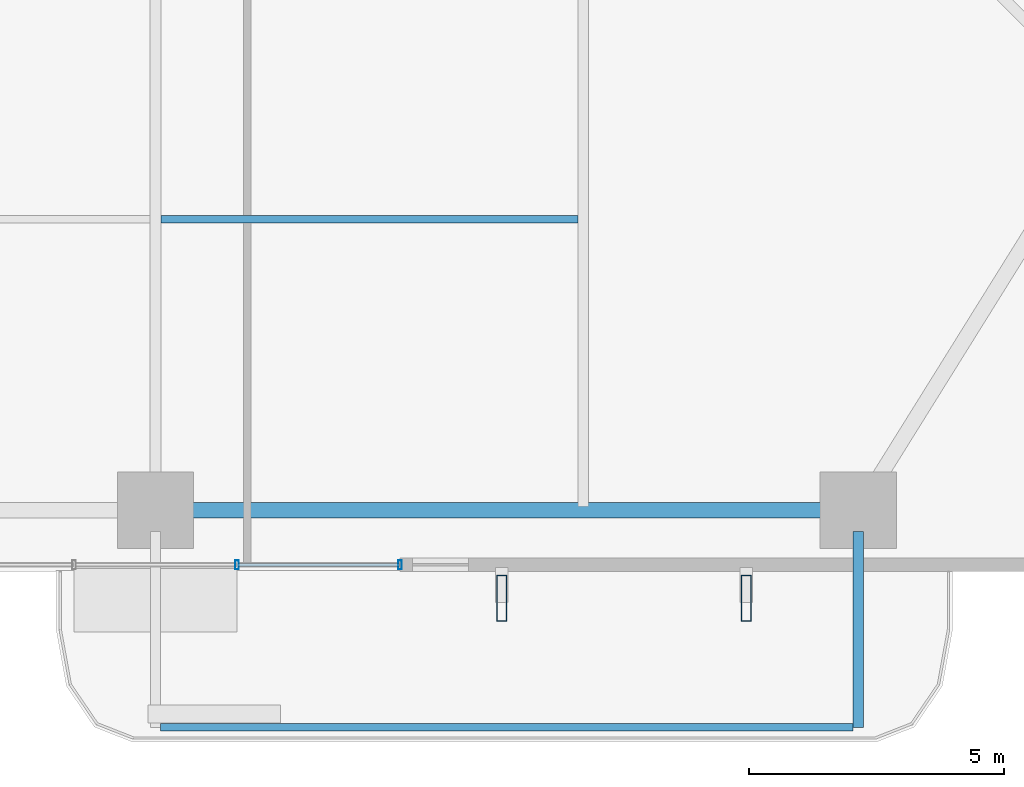
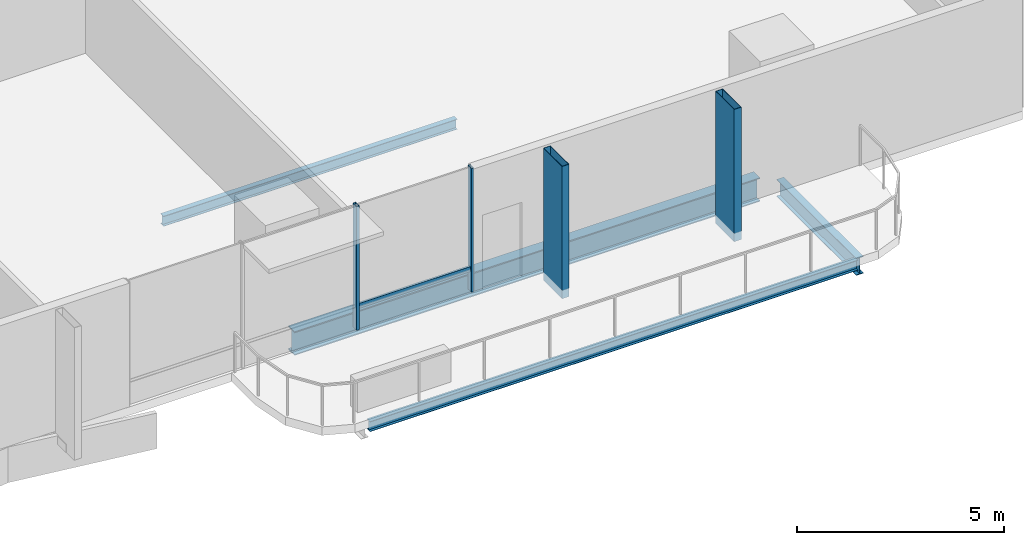
# One storey, part 6 of 24: 5 members, 4 beams, 1 element without a shape of its own.
"""IFC4 building model written with IfcOpenShell, lengths in metres."""

import ifcopenshell
import ifcopenshell.guid

model = None  # the IFC model being written
_history = None  # IfcOwnerHistory: only IFC2X3 demands one
_inside = {}  # id of a spatial element -> (the spatial element, [elements in it])
_under = {}  # id of a project, library or spatial element -> (it, [spatial elements below it])
_declared = {}  # id of a project -> (the project, [libraries it declares])
_typed = {}  # id of a type object -> (the type object, [elements of that type])
_made_of = {}  # id of a material, layer set ... -> (it, [elements and type objects made of it])


def new_model(schema):
    """Start an empty IFC model of exactly this schema.

    Asked for "IFC4X3", IfcOpenShell would pick the latest addendum, in which some entities
    have other attributes; the version numbers below select the first issue.
    IFC2X3 requires an IfcOwnerHistory on every rooted entity: one is made here for all.
    """
    global model, _history
    if schema == "IFC4X3":
        model = ifcopenshell.file(schema_version=(4, 3, 0, 0))
    else:
        model = ifcopenshell.file(schema=schema)
    _inside.clear()
    _under.clear()
    _declared.clear()
    _typed.clear()
    _made_of.clear()
    _history = None
    if model.schema == "IFC2X3":
        org = make("IfcOrganization", Name="unknown")
        user = make(
            "IfcPersonAndOrganization",
            ThePerson=make("IfcPerson", FamilyName="unknown"),
            TheOrganization=org,
        )
        app = make(
            "IfcApplication",
            ApplicationDeveloper=org,
            Version="unknown",
            ApplicationFullName="unknown",
            ApplicationIdentifier="unknown",
        )
        _history = make(
            "IfcOwnerHistory",
            OwningUser=user,
            OwningApplication=app,
            ChangeAction="ADDED",
            CreationDate=0,
        )
    return model


def make(cls, **values):
    """One entity of the class cls with the attributes given. An attribute that is None is left unset."""
    return model.create_entity(
        cls, **{name: value for name, value in values.items() if value is not None}
    )


def rooted(cls, **values):
    """An entity with a GlobalId (a new one), such as an element, a storey or a relation."""
    return make(cls, GlobalId=ifcopenshell.guid.new(), OwnerHistory=_history, **values)


def si_unit(unit_type, name, prefix=None):
    """IfcSIUnit, for example si_unit("LENGTHUNIT", "METRE", prefix="MILLI")."""
    return make("IfcSIUnit", UnitType=unit_type, Prefix=prefix, Name=name)


def assignment(units):
    """IfcUnitAssignment: the units of a project."""
    return None if units is None else make("IfcUnitAssignment", Units=units)


def point(xyz):
    """IfcCartesianPoint."""
    return None if xyz is None else make("IfcCartesianPoint", Coordinates=xyz)


def direction(xyz):
    """IfcDirection."""
    return None if xyz is None else make("IfcDirection", DirectionRatios=xyz)


def frame(location, z_axis=None, x_axis=None):
    """IfcAxis2Placement3D, a coordinate frame: its origin and axes. An axis left out is left unset."""
    return make(
        "IfcAxis2Placement3D",
        Location=point(location),
        Axis=direction(z_axis),
        RefDirection=direction(x_axis),
    )


def frame_2d(location, x_axis=None):
    """IfcAxis2Placement2D, a coordinate frame in the plane: its origin and x axis."""
    return make(
        "IfcAxis2Placement2D", Location=point(location), RefDirection=direction(x_axis)
    )


def origin():
    """The frame at (0, 0, 0) with its axes left unset."""
    return frame((0.0, 0.0, 0.0))


def origin_2d():
    """The frame at (0, 0) in the plane with its x axis left unset."""
    return frame_2d((0.0, 0.0))


def place(relative_to, where):
    """IfcLocalPlacement: puts the frame where relative to a parent placement (None: the world)."""
    return make(
        "IfcLocalPlacement", PlacementRelTo=relative_to, RelativePlacement=where
    )


def context(
    kind, dimensions, precision=None, world=None, true_north=None, identifier=None
):
    """IfcGeometricRepresentationContext, for example the 3D "Model" context."""
    return make(
        "IfcGeometricRepresentationContext",
        ContextIdentifier=identifier,
        ContextType=kind,
        CoordinateSpaceDimension=dimensions,
        Precision=precision,
        WorldCoordinateSystem=world,
        TrueNorth=true_north,
    )


def subcontext(parent, identifier, kind, view, scale=None):
    """IfcGeometricRepresentationSubContext, for example "Body" below "Model"."""
    return make(
        "IfcGeometricRepresentationSubContext",
        ContextIdentifier=identifier,
        ContextType=kind,
        ParentContext=parent,
        TargetScale=scale,
        TargetView=view,
    )


def project(units=None, contexts=None):
    """IfcProject with its units and contexts."""
    return rooted(
        "IfcProject",
        Name="project",
        RepresentationContexts=contexts,
        UnitsInContext=assignment(units),
    )


def spatial(cls, under=None, at=None, **own):
    """A site, building, storey or space (cls), placed at a placement, below another one or the project."""
    s = rooted(cls, ObjectPlacement=at, **own)
    if under is not None:
        _under.setdefault(under.id(), (under, []))[1].append(s)
    return s


def profile(cls, at=None, kind="AREA", **sizes):
    """A parametric profile (cls). Its sizes go by their IFC names, for example OverallWidth=200.0."""
    return make(cls, ProfileType=kind, Position=at, **sizes)


def hollow_rectangle(**sizes):
    """IfcRectangleHollowProfileDef."""
    return profile("IfcRectangleHollowProfileDef", **sizes)


def i_section(**sizes):
    """IfcIShapeProfileDef."""
    return profile("IfcIShapeProfileDef", **sizes)


def extrude(swept, where, along, depth):
    """IfcExtrudedAreaSolid: the profile swept, set in the frame where, extruded along a direction by depth."""
    return make(
        "IfcExtrudedAreaSolid",
        SweptArea=swept,
        Position=where,
        ExtrudedDirection=direction(along),
        Depth=depth,
    )


def shape(context_of_items, identifier, shape_type, items):
    """IfcShapeRepresentation: the items that make up one representation, for example the "Body"."""
    return make(
        "IfcShapeRepresentation",
        ContextOfItems=context_of_items,
        RepresentationIdentifier=identifier,
        RepresentationType=shape_type,
        Items=items,
    )


def material(Name=None, Category=None):
    """IfcMaterial."""
    return make("IfcMaterial", Name=Name, Category=Category)


def layer(
    of_material, thickness, ventilated=None, Name=None, Category=None, Priority=None
):
    """IfcMaterialLayer: one layer of a wall or slab, of a material (None: an air gap)."""
    return make(
        "IfcMaterialLayer",
        Material=of_material,
        LayerThickness=thickness,
        IsVentilated=ventilated,
        Name=Name,
        Category=Category,
        Priority=Priority,
    )


def layer_set(layers, Name=None):
    """IfcMaterialLayerSet."""
    return make("IfcMaterialLayerSet", MaterialLayers=layers, LayerSetName=Name)


def material_profile(
    of_material, cross_section, Name=None, Category=None, Priority=None
):
    """IfcMaterialProfile: a cross section and its material."""
    return make(
        "IfcMaterialProfile",
        Name=Name,
        Material=of_material,
        Profile=cross_section,
        Priority=Priority,
        Category=Category,
    )


def profile_set(profiles, Name=None, composite=None):
    """IfcMaterialProfileSet."""
    return make(
        "IfcMaterialProfileSet",
        Name=Name,
        MaterialProfiles=profiles,
        CompositeProfile=composite,
    )


def made_of(thing, what):
    """Note that an element or type object is made of a material, layer set ...; save() writes the relation."""
    if what is not None:
        _made_of.setdefault(what.id(), (what, []))[1].append(thing)
    return thing


def type_object(cls, material=None, **own):
    """A type object (cls), such as IfcWallType, which elements share."""
    return made_of(rooted(cls, **own), material)


def element(
    cls,
    number,
    at=None,
    inside=None,
    cuts=None,
    type_object=None,
    material=None,
    context=None,
    identifier="Body",
    shape_type=None,
    held_by="IfcProductDefinitionShape",
    body=None,
    shapes=None,
    **own,
):
    """One element of the class cls, such as IfcWall. Its Tag is "e" and its number.

    at: its placement. inside: the storey or other place that contains it. cuts: it is an
    opening in that element (IfcRelVoidsElement). A single representation is given by context,
    identifier, shape_type and body (its items); several are given by shapes. held_by: the class
    of the entity that holds the representations. save() writes the other relations.
    """
    e = rooted(cls, Tag="e%d" % number, ObjectPlacement=at, **own)
    if body is not None:
        shapes = [shape(context, identifier, shape_type, body)]
    if shapes is not None:
        e.Representation = make(held_by, Representations=shapes)
    if inside is not None:
        _inside.setdefault(inside.id(), (inside, []))[1].append(e)
    if cuts is not None:
        rooted(
            "IfcRelVoidsElement", RelatingBuildingElement=cuts, RelatedOpeningElement=e
        )
    if type_object is not None:
        _typed.setdefault(type_object.id(), (type_object, []))[1].append(e)
    return made_of(e, material)


def aggregate(whole, parts):
    """IfcRelAggregates: a whole, such as a stair, and the parts it consists of."""
    return rooted("IfcRelAggregates", RelatingObject=whole, RelatedObjects=parts)


def save(model, path):
    """Write the relations noted so far, then the file.

    IfcRelAggregates (storeys below a building ...), IfcRelContainedInSpatialStructure (elements
    in a storey), IfcRelDefinesByType, IfcRelAssociatesMaterial and IfcRelDeclares: one each for
    every whole, place, type object, material and project.
    """
    for whole, parts in _under.values():
        aggregate(whole, parts)
    for where, things in _inside.values():
        rooted(
            "IfcRelContainedInSpatialStructure",
            RelatedElements=things,
            RelatingStructure=where,
        )
    for kind, things in _typed.values():
        rooted("IfcRelDefinesByType", RelatedObjects=things, RelatingType=kind)
    for what, things in _made_of.values():
        rooted("IfcRelAssociatesMaterial", RelatedObjects=things, RelatingMaterial=what)
    for by, libraries in _declared.values():
        rooted("IfcRelDeclares", RelatingContext=by, RelatedDefinitions=libraries)
    model.write(path)


model = new_model("IFC4")

# Units and contexts
model_context = context("Model", 3, precision=1e-05, world=origin(), true_north=direction((0.0, 1.0)))
body_context = subcontext(model_context, "Body", "Model", "MODEL_VIEW")
ifc_project = project(units=[si_unit("LENGTHUNIT", "METRE"), si_unit("AREAUNIT", "SQUARE_METRE"), si_unit("VOLUMEUNIT", "CUBIC_METRE"), si_unit("PLANEANGLEUNIT", "RADIAN"), si_unit("MASSUNIT", "GRAM", prefix="KILO")], contexts=[model_context])

# Site, building, storey
site_placement = place(None, origin())
site = spatial("IfcSite", under=ifc_project, at=site_placement, CompositionType="ELEMENT")
building_placement = place(site_placement, origin())
building = spatial("IfcBuilding", under=site, at=building_placement, Name="Belovzor Exchange Tower", CompositionType="ELEMENT")
storey_placement = place(building_placement, frame((0.0, 0.0, 92.39990234375)))
storey = spatial("IfcBuildingStorey", under=building, at=storey_placement, Name="L22", CompositionType="ELEMENT", Elevation=92.39990234375)

# Beams
ifc_material_1 = material(Name="Steel S355", Category="steel")
ifc_material_profile_1 = material_profile(ifc_material_1, i_section(OverallWidth=0.199951171875, OverallDepth=0.5, WebThickness=0.01025390625, FlangeThickness=0.01611328125, at=origin_2d()))
ifc_profile_set_1 = profile_set([ifc_material_profile_1], Name="Steel S355")
beam_type_1 = type_object("IfcBeamType", Name="Planted Balcony Cantilever Beam IPE 500", PredefinedType="BEAM", material=ifc_profile_set_1)
beam_1_placement = place(storey_placement, frame((42.60009765625, 1.68798828125, -0.5), z_axis=(0.0, -1.0, 0.0), x_axis=(1.0, 0.0, 0.0)))
element("IfcBeam", 1, at=beam_1_placement, inside=storey, type_object=beam_type_1, Name="BC-500 Planted Balcony Cantilever Beam IPE 500", PredefinedType="BEAM", context=body_context, shape_type="SweptSolid", body=[
    extrude(i_section(OverallWidth=0.199951171875, OverallDepth=0.5, WebThickness=0.01025390625, FlangeThickness=0.01611328125, at=origin_2d()), origin(), (0.0, 0.0, 1.0), 3.85009765625),
])
ifc_material_2 = material(Name="Steel S355", Category="steel")
ifc_material_profile_2 = material_profile(ifc_material_2, i_section(OverallWidth=0.14990234375, OverallDepth=0.300048828125, WebThickness=0.007080078125, FlangeThickness=0.0107421875, at=origin_2d()))
ifc_profile_set_2 = profile_set([ifc_material_profile_2], Name="Steel S355")
beam_type_2 = type_object("IfcBeamType", Name="Planted Balcony Fascia Edge Beam IPE 300", PredefinedType="BEAM", material=ifc_profile_set_2)
beam_2_placement = place(storey_placement, frame((28.89990234375, -2.162109375, -0.39990234375), z_axis=(1.0, 0.0, 0.0), x_axis=(0.0, 1.0, 0.0)))
element("IfcBeam", 2, at=beam_2_placement, inside=storey, type_object=beam_type_2, Name="BC-300 Planted Balcony Fascia Edge Beam IPE 300", PredefinedType="BEAM", context=body_context, shape_type="SweptSolid", body=[
    extrude(i_section(OverallWidth=0.14990234375, OverallDepth=0.300048828125, WebThickness=0.007080078125, FlangeThickness=0.0107421875, at=origin_2d()), origin(), (0.0, 0.0, 1.0), 13.60009765625),
])
ifc_material_3 = material(Name="Steel S355", Category="steel")
ifc_material_profile_3 = material_profile(ifc_material_3, i_section(OverallWidth=0.14990234375, OverallDepth=0.300048828125, WebThickness=0.007080078125, FlangeThickness=0.0107421875, at=origin_2d()))
ifc_profile_set_3 = profile_set([ifc_material_profile_3], Name="Steel S355")
beam_type_3 = type_object("IfcBeamType", Name="Secondary Trim Floor Joist IPE 300", PredefinedType="BEAM", material=ifc_profile_set_3)
beam_3_placement = place(storey_placement, frame((28.905029296875, 7.81494140625, -0.39990234375), z_axis=(1.0, 0.0, 0.0), x_axis=(0.0, 1.0, 0.0)))
element("IfcBeam", 3, at=beam_3_placement, inside=storey, type_object=beam_type_3, Name="FJ-300 Secondary Trim Floor Joist IPE 300", PredefinedType="BEAM", context=body_context, shape_type="SweptSolid", body=[
    extrude(i_section(OverallWidth=0.14990234375, OverallDepth=0.300048828125, WebThickness=0.007080078125, FlangeThickness=0.0107421875, at=origin_2d()), origin(), (0.0, 0.0, 1.0), 8.18994140625),
])

# Members
ifc_material_4 = material(Name="Extruded Architectural Terracotta on Steel S355 Carrier", Category="masonry")
ifc_material_profile_4 = material_profile(ifc_material_4, hollow_rectangle(XDim=0.199951171875, YDim=0.89990234375, WallThickness=0.011962890625, at=origin_2d()))
ifc_profile_set_4 = profile_set([ifc_material_profile_4], Name="Extruded Architectural Terracotta on Steel S355 Carrier")
member_type_1 = type_object("IfcMemberType", Name="Sweeping Terracotta Baguette Fin Assembly 1250", PredefinedType="USERDEFINED", material=ifc_profile_set_4)
for number, where, z_axis, x_axis, name in (
    (4, (35.60009765625, 0.375, -0.25), (0.0, 0.0, 1.0), (1.0, 0.0, 0.0), "FIN-TC125 Terracotta Facade Fin L22 S3"),
    (5, (40.39990234375, 0.375, -0.25), (0.0, 0.0, 1.0), (1.0, 0.0, 0.0), "FIN-TC125 Terracotta Facade Fin L22 S4"),
):
    element("IfcMember", number, at=place(storey_placement, frame(where, z_axis=z_axis, x_axis=x_axis)), inside=storey, type_object=member_type_1, Name=name, ObjectType="FIN", PredefinedType="USERDEFINED", context=body_context, shape_type="SweptSolid", body=[
        extrude(hollow_rectangle(XDim=0.199951171875, YDim=0.89990234375, WallThickness=0.011962890625, at=origin_2d()), origin(), (0.0, 0.0, 1.0), 3.900146484375),
    ])

# Curtain wall, members
ifc_material_5 = material(Name="Anodised Aluminium Framing", Category="aluminium")
ifc_layer = layer(ifc_material_5, 0.179931640625)
ifc_layer_set = layer_set([ifc_layer], Name="Anodised Aluminium Framing")
curtain_wall_type = type_object("IfcCurtainWallType", Name="Recessed Loggia Low-Iron Triple-Glazed Curtain Wall", PredefinedType="NOTDEFINED", material=ifc_layer_set)
curtain_wall_placement = place(storey_placement, origin())
curtain_wall = element("IfcCurtainWall", 6, at=curtain_wall_placement, inside=storey, type_object=curtain_wall_type, Name="CW3 Recessed Loggia Low-Iron Triple-Glazed Curtain Wall L22", PredefinedType="NOTDEFINED")
ifc_material_6 = material(Name="Steel S355", Category="steel")
ifc_material_profile_5 = material_profile(ifc_material_6, hollow_rectangle(XDim=0.074951171875, YDim=0.179931640625, WallThickness=0.0048828125, at=origin_2d()))
ifc_profile_set_5 = profile_set([ifc_material_profile_5], Name="Steel S355")
member_type_2 = type_object("IfcMemberType", Name="Thermally Broken Curtain Wall Mullion 180x75", PredefinedType="MULLION", material=ifc_profile_set_5)
member_1_placement = place(storey_placement, frame((33.60009765625, 1.030029296875, 0.0), z_axis=(0.0, 0.0, 1.0), x_axis=(-1.0, 0.0, 0.0)))
member_1 = element("IfcMember", 7, at=member_1_placement, type_object=member_type_2, Name="CW-M180 Curtain Wall Mullion 1", PredefinedType="MULLION", context=body_context, shape_type="SweptSolid", body=[
    extrude(hollow_rectangle(XDim=0.074951171875, YDim=0.179931640625, WallThickness=0.0048828125, at=origin_2d()), origin(), (0.0, 0.0, 1.0), 3.650146484375),
])
member_2_placement = place(storey_placement, frame((30.39990234375, 1.030029296875, 0.0), z_axis=(0.0, 0.0, 1.0), x_axis=(-1.0, 0.0, 0.0)))
member_2 = element("IfcMember", 8, at=member_2_placement, type_object=member_type_2, Name="CW-M180 Curtain Wall Mullion 2", PredefinedType="MULLION", context=body_context, shape_type="SweptSolid", body=[
    extrude(hollow_rectangle(XDim=0.074951171875, YDim=0.179931640625, WallThickness=0.0048828125, at=origin_2d()), origin(), (0.0, 0.0, 1.0), 3.650146484375),
])
ifc_material_7 = material(Name="Steel S355", Category="steel")
ifc_material_profile_6 = material_profile(ifc_material_7, hollow_rectangle(XDim=0.06005859375, YDim=0.14990234375, WallThickness=0.00390625, at=origin_2d()))
ifc_profile_set_6 = profile_set([ifc_material_profile_6], Name="Steel S355")
member_type_3 = type_object("IfcMemberType", Name="Thermally Broken Curtain Wall Transom 150x60", PredefinedType="USERDEFINED", material=ifc_profile_set_6)
member_3_placement = place(storey_placement, frame((33.592041015625, 1.030029296875, 0.650146484375), z_axis=(-1.0, 0.0, 0.0), x_axis=(0.0, -1.0, 0.0)))
member_3 = element("IfcMember", 9, at=member_3_placement, type_object=member_type_3, Name="CW-T150 Curtain Wall Transom 1", ObjectType="TRANSOM", PredefinedType="USERDEFINED", context=body_context, shape_type="SweptSolid", body=[
    extrude(hollow_rectangle(XDim=0.06005859375, YDim=0.14990234375, WallThickness=0.00390625, at=origin_2d()), origin(), (0.0, 0.0, 1.0), 3.18408203125),
])
aggregate(curtain_wall, [member_1, member_2, member_3])

# Beam
ifc_material_8 = material(Name="Steel S355", Category="steel")
ifc_material_profile_7 = material_profile(ifc_material_8, i_section(OverallWidth=0.300048828125, OverallDepth=0.699951171875, WebThickness=0.01708984375, FlangeThickness=0.031982421875, at=origin_2d()))
ifc_profile_set_7 = profile_set([ifc_material_profile_7], Name="Steel S355")
beam_type_4 = type_object("IfcBeamType", Name="Zone 1 Primary Perimeter Girder HEB 700", PredefinedType="BEAM", material=ifc_profile_set_7)
beam_4_placement = place(storey_placement, frame((29.212890625, 2.10009765625, -0.599853515625), z_axis=(1.0, 0.0, 0.0), x_axis=(0.0, 1.0, 0.0)))
element("IfcBeam", 10, at=beam_4_placement, inside=storey, type_object=beam_type_4, Name="FG-Z1 Zone 1 Primary Perimeter Girder HEB 700", PredefinedType="BEAM", context=body_context, shape_type="SweptSolid", body=[
    extrude(i_section(OverallWidth=0.300048828125, OverallDepth=0.699951171875, WebThickness=0.01708984375, FlangeThickness=0.031982421875, at=origin_2d()), origin(), (0.0, 0.0, 1.0), 12.97509765625),
])

save(model, "model.ifc")
